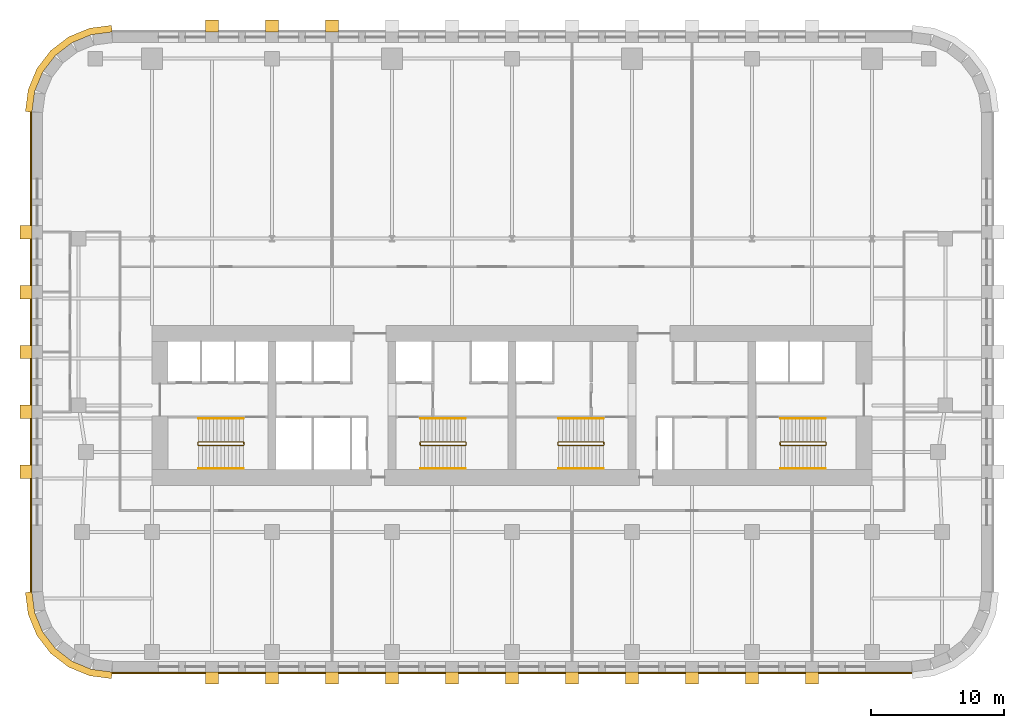
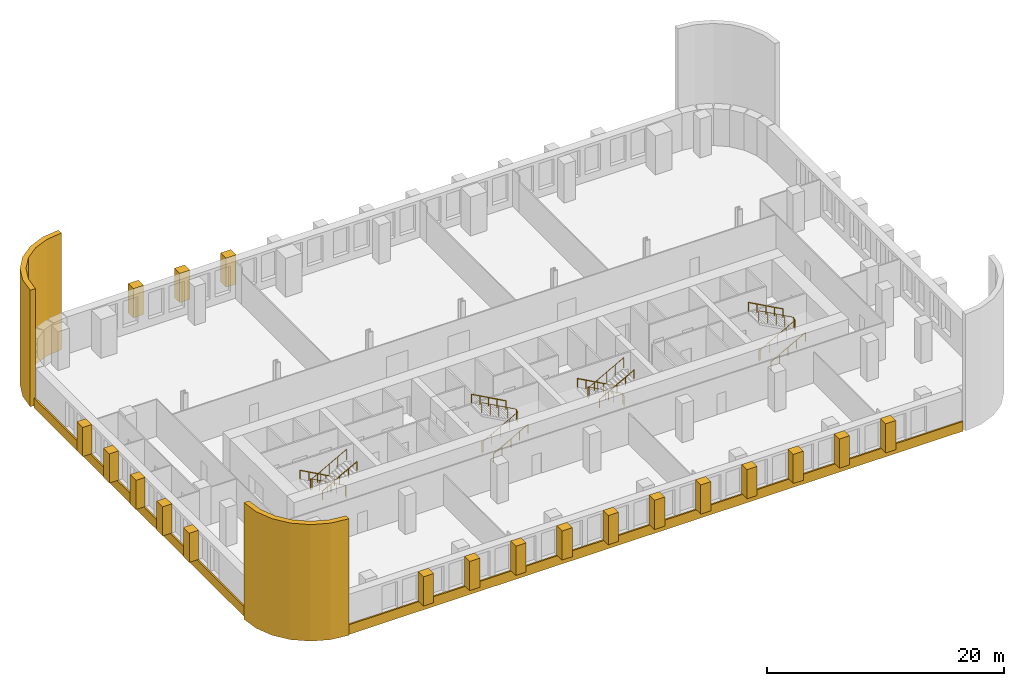
# One storey, part 10 of 11: 23 coverings, 12 railings.
"""IFC4 building model written with IfcOpenShell, lengths in metres."""

from ifc_helpers import new_model, si_unit, direction, frame, origin, origin_2d, place, context, subcontext, project, spatial, polyline, circle, outline, extrude, material, layer, layer_set, type_object, element, save


model = new_model("IFC4")

# Units and contexts
model_context = context("Model", 3, precision=1e-05, world=origin(), true_north=direction((0.0, 1.0)))
body_context = subcontext(model_context, "Body", "Model", "MODEL_VIEW")
ifc_project = project(units=[si_unit("LENGTHUNIT", "METRE"), si_unit("AREAUNIT", "SQUARE_METRE"), si_unit("VOLUMEUNIT", "CUBIC_METRE"), si_unit("PLANEANGLEUNIT", "RADIAN"), si_unit("MASSUNIT", "GRAM", prefix="KILO")], contexts=[model_context])

# Site, building, storey
site_placement = place(None, origin())
site = spatial("IfcSite", under=ifc_project, at=site_placement, CompositionType="ELEMENT")
building_placement = place(site_placement, origin())
building = spatial("IfcBuilding", under=site, at=building_placement, Name="Zellij Exchange Tower", CompositionType="ELEMENT")
storey_placement = place(building_placement, frame((0.0, 0.0, 64.5)))
storey = spatial("IfcBuildingStorey", under=building, at=storey_placement, Name="L12", CompositionType="ELEMENT", Elevation=64.5)

# Railings
ifc_material_1 = material(Name="Stainless steel", Category="steel")
railing_type_1 = type_object("IfcRailingType", Name="CORE-RG stair guard", PredefinedType="GUARDRAIL", material=ifc_material_1)
railing_1_placement = place(storey_placement, frame((-20.10009765625, -10.800048828125, 0.0)))
element("IfcRailing", 1, at=railing_1_placement, inside=storey, type_object=railing_type_1, Name="ST1 stair guard L12", PredefinedType="GUARDRAIL", context=body_context, shape_type="SweptSolid", body=[
    extrude(circle(Radius=0.02392578125, at=origin_2d()), frame((0.0, 0.0, 1.076171875), z_axis=(0.0, -1.0, 0.0), x_axis=(1.0, 0.0, 0.0)), (0.0, 0.0, 1.0), 0.14990234375),
    extrude(circle(Radius=0.02392578125, at=origin_2d()), frame((0.0, -0.14990234375, 1.076171875), z_axis=(-0.193691321961, 0.777613689637, 0.598164376644), x_axis=(-0.970351222016, -0.241699205484, 0.0)), (0.0, 0.0, 1.0), 0.257080078125),
    extrude(circle(Radius=0.02392578125, at=origin_2d()), frame((-0.0498046875, 0.050048828125, 1.22998046875), z_axis=(-0.876421534553, 0.0, 0.481544695509), x_axis=(0.0, -1.0, 0.0)), (0.0, 0.0, 1.0), 3.833984375),
    extrude(circle(Radius=0.02392578125, at=origin_2d()), frame((-3.409912109375, 0.050048828125, 3.076171875), z_axis=(-0.707106781187, -0.707106781187, 0.0), x_axis=(0.707106781187, -0.707106781187, 0.0)), (0.0, 0.0, 1.0), 0.07080078125),
    extrude(circle(Radius=0.02392578125, at=origin_2d()), frame((-3.4599609375, 0.0, 3.076171875), z_axis=(0.0, -1.0, 0.0), x_axis=(1.0, 0.0, 0.0)), (0.0, 0.0, 1.0), 0.14990234375),
    extrude(circle(Radius=0.02392578125, at=origin_2d()), frame((-3.4599609375, -0.14990234375, 3.076171875), z_axis=(0.295599637079, -0.295599637079, 0.908428152975), x_axis=(0.707106781187, 0.707106781187, 0.0)), (0.0, 0.0, 1.0), 0.16943359375),
    extrude(circle(Radius=0.02392578125, at=origin_2d()), frame((-3.409912109375, -0.199951171875, 3.22998046875), z_axis=(0.876421534553, 0.0, 0.481544695509), x_axis=(0.0, 1.0, 0.0)), (0.0, 0.0, 1.0), 3.833984375),
    extrude(circle(Radius=0.02099609375, at=origin_2d()), origin(), (0.0, 0.0, 1.0), 1.052001953125),
    extrude(circle(Radius=0.02099609375, at=origin_2d()), frame((0.0, -0.14990234375, 0.0)), (0.0, 0.0, 1.0), 1.052001953125),
    extrude(circle(Radius=0.02099609375, at=origin_2d()), frame((-0.0498046875, 0.050048828125, 0.15380859375)), (0.0, 0.0, 1.0), 1.052001953125),
    extrude(circle(Radius=0.02099609375, at=origin_2d()), frame((-0.889892578125, 0.050048828125, 0.615234375)), (0.0, 0.0, 1.0), 1.052001953125),
    extrude(circle(Radius=0.02099609375, at=origin_2d()), frame((-1.72998046875, 0.050048828125, 1.076904296875)), (0.0, 0.0, 1.0), 1.052001953125),
    extrude(circle(Radius=0.02099609375, at=origin_2d()), frame((-2.56982421875, 0.050048828125, 1.53857421875)), (0.0, 0.0, 1.0), 1.052001953125),
    extrude(circle(Radius=0.02099609375, at=origin_2d()), frame((-3.409912109375, 0.050048828125, 2.0)), (0.0, 0.0, 1.0), 1.052001953125),
    extrude(circle(Radius=0.02099609375, at=origin_2d()), frame((-3.4599609375, 0.0, 2.0)), (0.0, 0.0, 1.0), 1.052001953125),
    extrude(circle(Radius=0.02099609375, at=origin_2d()), frame((-3.4599609375, -0.14990234375, 2.0)), (0.0, 0.0, 1.0), 1.052001953125),
    extrude(circle(Radius=0.02099609375, at=origin_2d()), frame((-3.409912109375, -0.199951171875, 2.15380859375)), (0.0, 0.0, 1.0), 1.052001953125),
    extrude(circle(Radius=0.02099609375, at=origin_2d()), frame((-2.56982421875, -0.199951171875, 2.615234375)), (0.0, 0.0, 1.0), 1.052001953125),
    extrude(circle(Radius=0.02099609375, at=origin_2d()), frame((-1.72998046875, -0.199951171875, 3.076904296875)), (0.0, 0.0, 1.0), 1.052001953125),
    extrude(circle(Radius=0.02099609375, at=origin_2d()), frame((-0.889892578125, -0.199951171875, 3.53857421875)), (0.0, 0.0, 1.0), 1.052001953125),
    extrude(circle(Radius=0.02099609375, at=origin_2d()), frame((-0.0498046875, -0.199951171875, 4.0)), (0.0, 0.0, 1.0), 1.052001953125),
])
railing_2_placement = place(storey_placement, frame((-6.89990234375, -10.949951171875, 0.0)))
element("IfcRailing", 2, at=railing_2_placement, inside=storey, type_object=railing_type_1, Name="ST2 stair guard L12", PredefinedType="GUARDRAIL", context=body_context, shape_type="SweptSolid", body=[
    extrude(circle(Radius=0.02392578125, at=origin_2d()), frame((0.0, 0.0, 1.076171875), z_axis=(0.0, 1.0, 0.0), x_axis=(-1.0, 0.0, 0.0)), (0.0, 0.0, 1.0), 0.14990234375),
    extrude(circle(Radius=0.02392578125, at=origin_2d()), frame((0.0, 0.14990234375, 1.076171875), z_axis=(0.193691321961, -0.777613689637, 0.598164376644), x_axis=(0.970351222016, 0.241699205484, 0.0)), (0.0, 0.0, 1.0), 0.257080078125),
    extrude(circle(Radius=0.02392578125, at=origin_2d()), frame((0.0498046875, -0.050048828125, 1.22998046875), z_axis=(0.876421534553, 0.0, 0.481544695509), x_axis=(0.0, 1.0, 0.0)), (0.0, 0.0, 1.0), 3.833984375),
    extrude(circle(Radius=0.02392578125, at=origin_2d()), frame((3.409912109375, -0.050048828125, 3.076171875), z_axis=(0.707106781187, 0.707106781187, 0.0), x_axis=(-0.707106781187, 0.707106781187, 0.0)), (0.0, 0.0, 1.0), 0.07080078125),
    extrude(circle(Radius=0.02392578125, at=origin_2d()), frame((3.4599609375, 0.0, 3.076171875), z_axis=(0.0, 1.0, 0.0), x_axis=(-1.0, 0.0, 0.0)), (0.0, 0.0, 1.0), 0.14990234375),
    extrude(circle(Radius=0.02392578125, at=origin_2d()), frame((3.4599609375, 0.14990234375, 3.076171875), z_axis=(-0.295599637079, 0.295599637079, 0.908428152975), x_axis=(-0.707106781187, -0.707106781187, 0.0)), (0.0, 0.0, 1.0), 0.16943359375),
    extrude(circle(Radius=0.02392578125, at=origin_2d()), frame((3.409912109375, 0.199951171875, 3.22998046875), z_axis=(-0.876421534553, 0.0, 0.481544695509), x_axis=(0.0, -1.0, 0.0)), (0.0, 0.0, 1.0), 3.833984375),
    extrude(circle(Radius=0.02099609375, at=origin_2d()), origin(), (0.0, 0.0, 1.0), 1.052001953125),
    extrude(circle(Radius=0.02099609375, at=origin_2d()), frame((0.0, 0.14990234375, 0.0)), (0.0, 0.0, 1.0), 1.052001953125),
    extrude(circle(Radius=0.02099609375, at=origin_2d()), frame((0.0498046875, -0.050048828125, 0.15380859375)), (0.0, 0.0, 1.0), 1.052001953125),
    extrude(circle(Radius=0.02099609375, at=origin_2d()), frame((0.889892578125, -0.050048828125, 0.615234375)), (0.0, 0.0, 1.0), 1.052001953125),
    extrude(circle(Radius=0.02099609375, at=origin_2d()), frame((1.72998046875, -0.050048828125, 1.076904296875)), (0.0, 0.0, 1.0), 1.052001953125),
    extrude(circle(Radius=0.02099609375, at=origin_2d()), frame((2.56982421875, -0.050048828125, 1.53857421875)), (0.0, 0.0, 1.0), 1.052001953125),
    extrude(circle(Radius=0.02099609375, at=origin_2d()), frame((3.409912109375, -0.050048828125, 2.0)), (0.0, 0.0, 1.0), 1.052001953125),
    extrude(circle(Radius=0.02099609375, at=origin_2d()), frame((3.4599609375, 0.0, 2.0)), (0.0, 0.0, 1.0), 1.052001953125),
    extrude(circle(Radius=0.02099609375, at=origin_2d()), frame((3.4599609375, 0.14990234375, 2.0)), (0.0, 0.0, 1.0), 1.052001953125),
    extrude(circle(Radius=0.02099609375, at=origin_2d()), frame((3.409912109375, 0.199951171875, 2.15380859375)), (0.0, 0.0, 1.0), 1.052001953125),
    extrude(circle(Radius=0.02099609375, at=origin_2d()), frame((2.56982421875, 0.199951171875, 2.615234375)), (0.0, 0.0, 1.0), 1.052001953125),
    extrude(circle(Radius=0.02099609375, at=origin_2d()), frame((1.72998046875, 0.199951171875, 3.076904296875)), (0.0, 0.0, 1.0), 1.052001953125),
    extrude(circle(Radius=0.02099609375, at=origin_2d()), frame((0.889892578125, 0.199951171875, 3.53857421875)), (0.0, 0.0, 1.0), 1.052001953125),
    extrude(circle(Radius=0.02099609375, at=origin_2d()), frame((0.0498046875, 0.199951171875, 4.0)), (0.0, 0.0, 1.0), 1.052001953125),
])
railing_3_placement = place(storey_placement, frame((6.89990234375, -10.800048828125, 0.0)))
element("IfcRailing", 3, at=railing_3_placement, inside=storey, type_object=railing_type_1, Name="ST3 stair guard L12", PredefinedType="GUARDRAIL", context=body_context, shape_type="SweptSolid", body=[
    extrude(circle(Radius=0.02392578125, at=origin_2d()), frame((0.0, 0.0, 1.076171875), z_axis=(0.0, -1.0, 0.0), x_axis=(1.0, 0.0, 0.0)), (0.0, 0.0, 1.0), 0.14990234375),
    extrude(circle(Radius=0.02392578125, at=origin_2d()), frame((0.0, -0.14990234375, 1.076171875), z_axis=(-0.193691321961, 0.777613689637, 0.598164376644), x_axis=(-0.970351222016, -0.241699205484, 0.0)), (0.0, 0.0, 1.0), 0.257080078125),
    extrude(circle(Radius=0.02392578125, at=origin_2d()), frame((-0.0498046875, 0.050048828125, 1.22998046875), z_axis=(-0.876421534553, 0.0, 0.481544695509), x_axis=(0.0, -1.0, 0.0)), (0.0, 0.0, 1.0), 3.833984375),
    extrude(circle(Radius=0.02392578125, at=origin_2d()), frame((-3.409912109375, 0.050048828125, 3.076171875), z_axis=(-0.707106781187, -0.707106781187, 0.0), x_axis=(0.707106781187, -0.707106781187, 0.0)), (0.0, 0.0, 1.0), 0.07080078125),
    extrude(circle(Radius=0.02392578125, at=origin_2d()), frame((-3.4599609375, 0.0, 3.076171875), z_axis=(0.0, -1.0, 0.0), x_axis=(1.0, 0.0, 0.0)), (0.0, 0.0, 1.0), 0.14990234375),
    extrude(circle(Radius=0.02392578125, at=origin_2d()), frame((-3.4599609375, -0.14990234375, 3.076171875), z_axis=(0.295599637079, -0.295599637079, 0.908428152975), x_axis=(0.707106781187, 0.707106781187, 0.0)), (0.0, 0.0, 1.0), 0.16943359375),
    extrude(circle(Radius=0.02392578125, at=origin_2d()), frame((-3.409912109375, -0.199951171875, 3.22998046875), z_axis=(0.876421534553, 0.0, 0.481544695509), x_axis=(0.0, 1.0, 0.0)), (0.0, 0.0, 1.0), 3.833984375),
    extrude(circle(Radius=0.02099609375, at=origin_2d()), origin(), (0.0, 0.0, 1.0), 1.052001953125),
    extrude(circle(Radius=0.02099609375, at=origin_2d()), frame((0.0, -0.14990234375, 0.0)), (0.0, 0.0, 1.0), 1.052001953125),
    extrude(circle(Radius=0.02099609375, at=origin_2d()), frame((-0.0498046875, 0.050048828125, 0.15380859375)), (0.0, 0.0, 1.0), 1.052001953125),
    extrude(circle(Radius=0.02099609375, at=origin_2d()), frame((-0.889892578125, 0.050048828125, 0.615234375)), (0.0, 0.0, 1.0), 1.052001953125),
    extrude(circle(Radius=0.02099609375, at=origin_2d()), frame((-1.72998046875, 0.050048828125, 1.076904296875)), (0.0, 0.0, 1.0), 1.052001953125),
    extrude(circle(Radius=0.02099609375, at=origin_2d()), frame((-2.56982421875, 0.050048828125, 1.53857421875)), (0.0, 0.0, 1.0), 1.052001953125),
    extrude(circle(Radius=0.02099609375, at=origin_2d()), frame((-3.409912109375, 0.050048828125, 2.0)), (0.0, 0.0, 1.0), 1.052001953125),
    extrude(circle(Radius=0.02099609375, at=origin_2d()), frame((-3.4599609375, 0.0, 2.0)), (0.0, 0.0, 1.0), 1.052001953125),
    extrude(circle(Radius=0.02099609375, at=origin_2d()), frame((-3.4599609375, -0.14990234375, 2.0)), (0.0, 0.0, 1.0), 1.052001953125),
    extrude(circle(Radius=0.02099609375, at=origin_2d()), frame((-3.409912109375, -0.199951171875, 2.15380859375)), (0.0, 0.0, 1.0), 1.052001953125),
    extrude(circle(Radius=0.02099609375, at=origin_2d()), frame((-2.56982421875, -0.199951171875, 2.615234375)), (0.0, 0.0, 1.0), 1.052001953125),
    extrude(circle(Radius=0.02099609375, at=origin_2d()), frame((-1.72998046875, -0.199951171875, 3.076904296875)), (0.0, 0.0, 1.0), 1.052001953125),
    extrude(circle(Radius=0.02099609375, at=origin_2d()), frame((-0.889892578125, -0.199951171875, 3.53857421875)), (0.0, 0.0, 1.0), 1.052001953125),
    extrude(circle(Radius=0.02099609375, at=origin_2d()), frame((-0.0498046875, -0.199951171875, 4.0)), (0.0, 0.0, 1.0), 1.052001953125),
])
railing_4_placement = place(storey_placement, frame((20.10009765625, -10.949951171875, 0.0)))
element("IfcRailing", 4, at=railing_4_placement, inside=storey, type_object=railing_type_1, Name="ST4 stair guard L12", PredefinedType="GUARDRAIL", context=body_context, shape_type="SweptSolid", body=[
    extrude(circle(Radius=0.02392578125, at=origin_2d()), frame((0.0, 0.0, 1.076171875), z_axis=(0.0, 1.0, 0.0), x_axis=(-1.0, 0.0, 0.0)), (0.0, 0.0, 1.0), 0.14990234375),
    extrude(circle(Radius=0.02392578125, at=origin_2d()), frame((0.0, 0.14990234375, 1.076171875), z_axis=(0.193691321961, -0.777613689637, 0.598164376644), x_axis=(0.970351222016, 0.241699205484, 0.0)), (0.0, 0.0, 1.0), 0.257080078125),
    extrude(circle(Radius=0.02392578125, at=origin_2d()), frame((0.0498046875, -0.050048828125, 1.22998046875), z_axis=(0.876421534553, 0.0, 0.481544695509), x_axis=(0.0, 1.0, 0.0)), (0.0, 0.0, 1.0), 3.833984375),
    extrude(circle(Radius=0.02392578125, at=origin_2d()), frame((3.409912109375, -0.050048828125, 3.076171875), z_axis=(0.707106781187, 0.707106781187, 0.0), x_axis=(-0.707106781187, 0.707106781187, 0.0)), (0.0, 0.0, 1.0), 0.07080078125),
    extrude(circle(Radius=0.02392578125, at=origin_2d()), frame((3.4599609375, 0.0, 3.076171875), z_axis=(0.0, 1.0, 0.0), x_axis=(-1.0, 0.0, 0.0)), (0.0, 0.0, 1.0), 0.14990234375),
    extrude(circle(Radius=0.02392578125, at=origin_2d()), frame((3.4599609375, 0.14990234375, 3.076171875), z_axis=(-0.295599637079, 0.295599637079, 0.908428152975), x_axis=(-0.707106781187, -0.707106781187, 0.0)), (0.0, 0.0, 1.0), 0.16943359375),
    extrude(circle(Radius=0.02392578125, at=origin_2d()), frame((3.409912109375, 0.199951171875, 3.22998046875), z_axis=(-0.876421534553, 0.0, 0.481544695509), x_axis=(0.0, -1.0, 0.0)), (0.0, 0.0, 1.0), 3.833984375),
    extrude(circle(Radius=0.02099609375, at=origin_2d()), origin(), (0.0, 0.0, 1.0), 1.052001953125),
    extrude(circle(Radius=0.02099609375, at=origin_2d()), frame((0.0, 0.14990234375, 0.0)), (0.0, 0.0, 1.0), 1.052001953125),
    extrude(circle(Radius=0.02099609375, at=origin_2d()), frame((0.0498046875, -0.050048828125, 0.15380859375)), (0.0, 0.0, 1.0), 1.052001953125),
    extrude(circle(Radius=0.02099609375, at=origin_2d()), frame((0.889892578125, -0.050048828125, 0.615234375)), (0.0, 0.0, 1.0), 1.052001953125),
    extrude(circle(Radius=0.02099609375, at=origin_2d()), frame((1.72998046875, -0.050048828125, 1.076904296875)), (0.0, 0.0, 1.0), 1.052001953125),
    extrude(circle(Radius=0.02099609375, at=origin_2d()), frame((2.56982421875, -0.050048828125, 1.53857421875)), (0.0, 0.0, 1.0), 1.052001953125),
    extrude(circle(Radius=0.02099609375, at=origin_2d()), frame((3.409912109375, -0.050048828125, 2.0)), (0.0, 0.0, 1.0), 1.052001953125),
    extrude(circle(Radius=0.02099609375, at=origin_2d()), frame((3.4599609375, 0.0, 2.0)), (0.0, 0.0, 1.0), 1.052001953125),
    extrude(circle(Radius=0.02099609375, at=origin_2d()), frame((3.4599609375, 0.14990234375, 2.0)), (0.0, 0.0, 1.0), 1.052001953125),
    extrude(circle(Radius=0.02099609375, at=origin_2d()), frame((3.409912109375, 0.199951171875, 2.15380859375)), (0.0, 0.0, 1.0), 1.052001953125),
    extrude(circle(Radius=0.02099609375, at=origin_2d()), frame((2.56982421875, 0.199951171875, 2.615234375)), (0.0, 0.0, 1.0), 1.052001953125),
    extrude(circle(Radius=0.02099609375, at=origin_2d()), frame((1.72998046875, 0.199951171875, 3.076904296875)), (0.0, 0.0, 1.0), 1.052001953125),
    extrude(circle(Radius=0.02099609375, at=origin_2d()), frame((0.889892578125, 0.199951171875, 3.53857421875)), (0.0, 0.0, 1.0), 1.052001953125),
    extrude(circle(Radius=0.02099609375, at=origin_2d()), frame((0.0498046875, 0.199951171875, 4.0)), (0.0, 0.0, 1.0), 1.052001953125),
])
railing_type_2 = type_object("IfcRailingType", Name="CORE-RH stair handrail", PredefinedType="HANDRAIL", material=ifc_material_1)
railing_5_placement = place(storey_placement, frame((-20.14990234375, -9.0, 0.15380859375)))
element("IfcRailing", 5, at=railing_5_placement, inside=storey, type_object=railing_type_2, Name="ST1 stair handrail L12", PredefinedType="HANDRAIL", context=body_context, shape_type="SweptSolid", body=[
    extrude(circle(Radius=0.02392578125, at=origin_2d()), frame((0.0, 0.0, 0.8759765625), z_axis=(-0.876421534553, 0.0, 0.481544695509), x_axis=(0.0, -1.0, 0.0)), (0.0, 0.0, 1.0), 3.833984375),
    extrude(circle(Radius=0.02099609375, at=origin_2d()), origin(), (0.0, 0.0, 1.0), 0.851806640625),
    extrude(circle(Radius=0.02099609375, at=origin_2d()), frame((-0.840087890625, 0.0, 0.46142578125)), (0.0, 0.0, 1.0), 0.851806640625),
    extrude(circle(Radius=0.02099609375, at=origin_2d()), frame((-1.68017578125, 0.0, 0.923095703125)), (0.0, 0.0, 1.0), 0.851806640625),
    extrude(circle(Radius=0.02099609375, at=origin_2d()), frame((-2.52001953125, 0.0, 1.384765625)), (0.0, 0.0, 1.0), 0.851806640625),
    extrude(circle(Radius=0.02099609375, at=origin_2d()), frame((-3.360107421875, 0.0, 1.84619140625)), (0.0, 0.0, 1.0), 0.851806640625),
])
for number, where, name in (
    (6, (-23.510009765625, -12.75, 2.15380859375), "ST1 stair handrail L12"),
    (7, (-6.85009765625, -12.75, 0.15380859375), "ST2 stair handrail L12"),
):
    element("IfcRailing", number, at=place(storey_placement, frame(where)), inside=storey, type_object=railing_type_2, Name=name, PredefinedType="HANDRAIL", context=body_context, shape_type="SweptSolid", body=[
        extrude(circle(Radius=0.02392578125, at=origin_2d()), frame((0.0, 0.0, 0.8759765625), z_axis=(0.876421534553, 0.0, 0.481544695509), x_axis=(0.0, 1.0, 0.0)), (0.0, 0.0, 1.0), 3.833984375),
        extrude(circle(Radius=0.02099609375, at=origin_2d()), origin(), (0.0, 0.0, 1.0), 0.851806640625),
        extrude(circle(Radius=0.02099609375, at=origin_2d()), frame((0.840087890625, 0.0, 0.46142578125)), (0.0, 0.0, 1.0), 0.851806640625),
        extrude(circle(Radius=0.02099609375, at=origin_2d()), frame((1.68017578125, 0.0, 0.923095703125)), (0.0, 0.0, 1.0), 0.851806640625),
        extrude(circle(Radius=0.02099609375, at=origin_2d()), frame((2.52001953125, 0.0, 1.384765625)), (0.0, 0.0, 1.0), 0.851806640625),
        extrude(circle(Radius=0.02099609375, at=origin_2d()), frame((3.360107421875, 0.0, 1.84619140625)), (0.0, 0.0, 1.0), 0.851806640625),
    ])
for number, where, name in (
    (8, (-3.489990234375, -9.0, 2.15380859375), "ST2 stair handrail L12"),
    (9, (6.85009765625, -9.0, 0.15380859375), "ST3 stair handrail L12"),
):
    element("IfcRailing", number, at=place(storey_placement, frame(where)), inside=storey, type_object=railing_type_2, Name=name, PredefinedType="HANDRAIL", context=body_context, shape_type="SweptSolid", body=[
        extrude(circle(Radius=0.02392578125, at=origin_2d()), frame((0.0, 0.0, 0.8759765625), z_axis=(-0.876421534553, 0.0, 0.481544695509), x_axis=(0.0, -1.0, 0.0)), (0.0, 0.0, 1.0), 3.833984375),
        extrude(circle(Radius=0.02099609375, at=origin_2d()), origin(), (0.0, 0.0, 1.0), 0.851806640625),
        extrude(circle(Radius=0.02099609375, at=origin_2d()), frame((-0.840087890625, 0.0, 0.46142578125)), (0.0, 0.0, 1.0), 0.851806640625),
        extrude(circle(Radius=0.02099609375, at=origin_2d()), frame((-1.68017578125, 0.0, 0.923095703125)), (0.0, 0.0, 1.0), 0.851806640625),
        extrude(circle(Radius=0.02099609375, at=origin_2d()), frame((-2.52001953125, 0.0, 1.384765625)), (0.0, 0.0, 1.0), 0.851806640625),
        extrude(circle(Radius=0.02099609375, at=origin_2d()), frame((-3.360107421875, 0.0, 1.84619140625)), (0.0, 0.0, 1.0), 0.851806640625),
    ])
for number, where, name in (
    (10, (3.489990234375, -12.75, 2.15380859375), "ST3 stair handrail L12"),
    (11, (20.14990234375, -12.75, 0.15380859375), "ST4 stair handrail L12"),
):
    element("IfcRailing", number, at=place(storey_placement, frame(where)), inside=storey, type_object=railing_type_2, Name=name, PredefinedType="HANDRAIL", context=body_context, shape_type="SweptSolid", body=[
        extrude(circle(Radius=0.02392578125, at=origin_2d()), frame((0.0, 0.0, 0.8759765625), z_axis=(0.876421534553, 0.0, 0.481544695509), x_axis=(0.0, 1.0, 0.0)), (0.0, 0.0, 1.0), 3.833984375),
        extrude(circle(Radius=0.02099609375, at=origin_2d()), origin(), (0.0, 0.0, 1.0), 0.851806640625),
        extrude(circle(Radius=0.02099609375, at=origin_2d()), frame((0.840087890625, 0.0, 0.46142578125)), (0.0, 0.0, 1.0), 0.851806640625),
        extrude(circle(Radius=0.02099609375, at=origin_2d()), frame((1.68017578125, 0.0, 0.923095703125)), (0.0, 0.0, 1.0), 0.851806640625),
        extrude(circle(Radius=0.02099609375, at=origin_2d()), frame((2.52001953125, 0.0, 1.384765625)), (0.0, 0.0, 1.0), 0.851806640625),
        extrude(circle(Radius=0.02099609375, at=origin_2d()), frame((3.360107421875, 0.0, 1.84619140625)), (0.0, 0.0, 1.0), 0.851806640625),
    ])
railing_6_placement = place(storey_placement, frame((23.510009765625, -9.0, 2.15380859375)))
element("IfcRailing", 12, at=railing_6_placement, inside=storey, type_object=railing_type_2, Name="ST4 stair handrail L12", PredefinedType="HANDRAIL", context=body_context, shape_type="SweptSolid", body=[
    extrude(circle(Radius=0.02392578125, at=origin_2d()), frame((0.0, 0.0, 0.8759765625), z_axis=(-0.876421534553, 0.0, 0.481544695509), x_axis=(0.0, -1.0, 0.0)), (0.0, 0.0, 1.0), 3.833984375),
    extrude(circle(Radius=0.02099609375, at=origin_2d()), origin(), (0.0, 0.0, 1.0), 0.851806640625),
    extrude(circle(Radius=0.02099609375, at=origin_2d()), frame((-0.840087890625, 0.0, 0.46142578125)), (0.0, 0.0, 1.0), 0.851806640625),
    extrude(circle(Radius=0.02099609375, at=origin_2d()), frame((-1.68017578125, 0.0, 0.923095703125)), (0.0, 0.0, 1.0), 0.851806640625),
    extrude(circle(Radius=0.02099609375, at=origin_2d()), frame((-2.52001953125, 0.0, 1.384765625)), (0.0, 0.0, 1.0), 0.851806640625),
    extrude(circle(Radius=0.02099609375, at=origin_2d()), frame((-3.360107421875, 0.0, 1.84619140625)), (0.0, 0.0, 1.0), 0.851806640625),
])

# Coverings
ifc_material_2 = material(Name="Limestone cladding", Category="masonry")
ifc_layer_1 = layer(ifc_material_2, 0.14990234375)
ifc_layer_set_1 = layer_set([ifc_layer_1], Name="Limestone cladding")
covering_type_1 = type_object("IfcCoveringType", Name="ENV-CV1 Stone spandrel band 150", PredefinedType="CLADDING", material=ifc_layer_set_1)
covering_1_placement = place(storey_placement, frame((0.0, 0.0, -0.199951171875)))
element("IfcCovering", 13, at=covering_1_placement, inside=storey, type_object=covering_type_1, Name="Stone spandrel band", PredefinedType="CLADDING", context=body_context, shape_type="SweptSolid", body=[
    extrude(outline(polyline([(-29.973876953125, -28.0), (29.973876953125, -28.0), (29.983642578125, -28.14990234375), (-29.983642578125, -28.14990234375), (-29.973876953125, -28.0)])), origin(), (0.0, 0.0, 1.0), 1.0),
])
covering_2_placement = place(storey_placement, frame((0.0, 0.0, -0.199951171875)))
element("IfcCovering", 14, at=covering_2_placement, inside=storey, type_object=covering_type_1, Name="Stone spandrel band", PredefinedType="CLADDING", context=body_context, shape_type="SweptSolid", body=[
    extrude(outline(polyline([(-36.0, 13.973876953125), (-36.0, -21.973876953125), (-36.14990234375, -21.983642578125), (-36.14990234375, 13.983642578125), (-36.0, 13.973876953125)])), origin(), (0.0, 0.0, 1.0), 1.0),
])
ifc_layer_2 = layer(ifc_material_2, 0.5)
ifc_layer_set_2 = layer_set([ifc_layer_2], Name="Limestone cladding")
covering_type_2 = type_object("IfcCoveringType", Name="ENV-CV12 Stone corner pier 500", PredefinedType="CLADDING", material=ifc_layer_set_2)
covering_3_placement = place(storey_placement, origin())
element("IfcCovering", 15, at=covering_3_placement, inside=storey, type_object=covering_type_2, Name="Stone corner pier", PredefinedType="CLADDING", context=body_context, shape_type="SweptSolid", body=[
    extrude(outline(polyline([(-30.0, 20.0), (-31.552978515625, 19.795654296875), (-33.0, 19.1962890625), (-34.24267578125, 18.24267578125), (-35.1962890625, 17.0), (-35.795654296875, 15.552978515625), (-36.0, 14.0), (-36.5, 14.03271484375), (-36.28271484375, 15.683349609375), (-35.6328125, 17.252197265625), (-34.59912109375, 18.59912109375), (-33.252197265625, 19.6328125), (-31.683349609375, 20.28271484375), (-30.03271484375, 20.5), (-30.0, 20.0)])), origin(), (0.0, 0.0, 1.0), 12.0),
])
covering_4_placement = place(storey_placement, origin())
element("IfcCovering", 16, at=covering_4_placement, inside=storey, type_object=covering_type_2, Name="Stone corner pier", PredefinedType="CLADDING", context=body_context, shape_type="SweptSolid", body=[
    extrude(outline(polyline([(-36.0, -22.0), (-35.795654296875, -23.552978515625), (-35.1962890625, -25.0), (-34.24267578125, -26.24267578125), (-33.0, -27.1962890625), (-31.552978515625, -27.795654296875), (-30.0, -28.0), (-30.03271484375, -28.5), (-31.683349609375, -28.28271484375), (-33.252197265625, -27.6328125), (-34.59912109375, -26.59912109375), (-35.6328125, -25.252197265625), (-36.28271484375, -23.683349609375), (-36.5, -22.03271484375), (-36.0, -22.0)])), origin(), (0.0, 0.0, 1.0), 12.0),
])
covering_type_3 = type_object("IfcCoveringType", Name="ENV-CV2 Stone pier 1000x900", PredefinedType="CLADDING", material=ifc_material_2)
covering_5_placement = place(storey_placement, frame((0.0, 0.0, 0.800048828125)))
element("IfcCovering", 17, at=covering_5_placement, inside=storey, type_object=covering_type_3, Name="Stone pier", PredefinedType="CLADDING", context=body_context, shape_type="SweptSolid", body=[
    extrude(outline(polyline([(-23.0, -28.0), (-22.0, -28.0), (-22.0, -28.89990234375), (-23.0, -28.89990234375), (-23.0, -28.0)])), origin(), (0.0, 0.0, 1.0), 3.0),
])
covering_6_placement = place(storey_placement, frame((0.0, 0.0, 0.800048828125)))
element("IfcCovering", 18, at=covering_6_placement, inside=storey, type_object=covering_type_3, Name="Stone pier", PredefinedType="CLADDING", context=body_context, shape_type="SweptSolid", body=[
    extrude(outline(polyline([(-18.5, -28.0), (-17.5, -28.0), (-17.5, -28.89990234375), (-18.5, -28.89990234375), (-18.5, -28.0)])), origin(), (0.0, 0.0, 1.0), 3.0),
])
covering_7_placement = place(storey_placement, frame((0.0, 0.0, 0.800048828125)))
element("IfcCovering", 19, at=covering_7_placement, inside=storey, type_object=covering_type_3, Name="Stone pier", PredefinedType="CLADDING", context=body_context, shape_type="SweptSolid", body=[
    extrude(outline(polyline([(-14.0, -28.0), (-13.0, -28.0), (-13.0, -28.89990234375), (-14.0, -28.89990234375), (-14.0, -28.0)])), origin(), (0.0, 0.0, 1.0), 3.0),
])
covering_8_placement = place(storey_placement, frame((0.0, 0.0, 0.800048828125)))
element("IfcCovering", 20, at=covering_8_placement, inside=storey, type_object=covering_type_3, Name="Stone pier", PredefinedType="CLADDING", context=body_context, shape_type="SweptSolid", body=[
    extrude(outline(polyline([(-9.5, -28.0), (-8.5, -28.0), (-8.5, -28.89990234375), (-9.5, -28.89990234375), (-9.5, -28.0)])), origin(), (0.0, 0.0, 1.0), 3.0),
])
covering_9_placement = place(storey_placement, frame((0.0, 0.0, 0.800048828125)))
element("IfcCovering", 21, at=covering_9_placement, inside=storey, type_object=covering_type_3, Name="Stone pier", PredefinedType="CLADDING", context=body_context, shape_type="SweptSolid", body=[
    extrude(outline(polyline([(-5.0, -28.0), (-4.0, -28.0), (-4.0, -28.89990234375), (-5.0, -28.89990234375), (-5.0, -28.0)])), origin(), (0.0, 0.0, 1.0), 3.0),
])
covering_10_placement = place(storey_placement, frame((0.0, 0.0, 0.800048828125)))
element("IfcCovering", 22, at=covering_10_placement, inside=storey, type_object=covering_type_3, Name="Stone pier", PredefinedType="CLADDING", context=body_context, shape_type="SweptSolid", body=[
    extrude(outline(polyline([(-0.5, -28.0), (0.5, -28.0), (0.5, -28.89990234375), (-0.5, -28.89990234375), (-0.5, -28.0)])), origin(), (0.0, 0.0, 1.0), 3.0),
])
covering_11_placement = place(storey_placement, frame((0.0, 0.0, 0.800048828125)))
element("IfcCovering", 23, at=covering_11_placement, inside=storey, type_object=covering_type_3, Name="Stone pier", PredefinedType="CLADDING", context=body_context, shape_type="SweptSolid", body=[
    extrude(outline(polyline([(4.0, -28.0), (5.0, -28.0), (5.0, -28.89990234375), (4.0, -28.89990234375), (4.0, -28.0)])), origin(), (0.0, 0.0, 1.0), 3.0),
])
covering_12_placement = place(storey_placement, frame((0.0, 0.0, 0.800048828125)))
element("IfcCovering", 24, at=covering_12_placement, inside=storey, type_object=covering_type_3, Name="Stone pier", PredefinedType="CLADDING", context=body_context, shape_type="SweptSolid", body=[
    extrude(outline(polyline([(8.5, -28.0), (9.5, -28.0), (9.5, -28.89990234375), (8.5, -28.89990234375), (8.5, -28.0)])), origin(), (0.0, 0.0, 1.0), 3.0),
])
covering_13_placement = place(storey_placement, frame((0.0, 0.0, 0.800048828125)))
element("IfcCovering", 25, at=covering_13_placement, inside=storey, type_object=covering_type_3, Name="Stone pier", PredefinedType="CLADDING", context=body_context, shape_type="SweptSolid", body=[
    extrude(outline(polyline([(13.0, -28.0), (14.0, -28.0), (14.0, -28.89990234375), (13.0, -28.89990234375), (13.0, -28.0)])), origin(), (0.0, 0.0, 1.0), 3.0),
])
covering_14_placement = place(storey_placement, frame((0.0, 0.0, 0.800048828125)))
element("IfcCovering", 26, at=covering_14_placement, inside=storey, type_object=covering_type_3, Name="Stone pier", PredefinedType="CLADDING", context=body_context, shape_type="SweptSolid", body=[
    extrude(outline(polyline([(17.5, -28.0), (18.5, -28.0), (18.5, -28.89990234375), (17.5, -28.89990234375), (17.5, -28.0)])), origin(), (0.0, 0.0, 1.0), 3.0),
])
covering_15_placement = place(storey_placement, frame((0.0, 0.0, 0.800048828125)))
element("IfcCovering", 27, at=covering_15_placement, inside=storey, type_object=covering_type_3, Name="Stone pier", PredefinedType="CLADDING", context=body_context, shape_type="SweptSolid", body=[
    extrude(outline(polyline([(22.0, -28.0), (23.0, -28.0), (23.0, -28.89990234375), (22.0, -28.89990234375), (22.0, -28.0)])), origin(), (0.0, 0.0, 1.0), 3.0),
])
covering_16_placement = place(storey_placement, frame((0.0, 0.0, 0.800048828125)))
element("IfcCovering", 28, at=covering_16_placement, inside=storey, type_object=covering_type_3, Name="Stone pier", PredefinedType="CLADDING", context=body_context, shape_type="SweptSolid", body=[
    extrude(outline(polyline([(-13.0, 20.0), (-14.0, 20.0), (-14.0, 20.89990234375), (-13.0, 20.89990234375), (-13.0, 20.0)])), origin(), (0.0, 0.0, 1.0), 3.0),
])
covering_17_placement = place(storey_placement, frame((0.0, 0.0, 0.800048828125)))
element("IfcCovering", 29, at=covering_17_placement, inside=storey, type_object=covering_type_3, Name="Stone pier", PredefinedType="CLADDING", context=body_context, shape_type="SweptSolid", body=[
    extrude(outline(polyline([(-17.5, 20.0), (-18.5, 20.0), (-18.5, 20.89990234375), (-17.5, 20.89990234375), (-17.5, 20.0)])), origin(), (0.0, 0.0, 1.0), 3.0),
])
covering_18_placement = place(storey_placement, frame((0.0, 0.0, 0.800048828125)))
element("IfcCovering", 30, at=covering_18_placement, inside=storey, type_object=covering_type_3, Name="Stone pier", PredefinedType="CLADDING", context=body_context, shape_type="SweptSolid", body=[
    extrude(outline(polyline([(-22.0, 20.0), (-23.0, 20.0), (-23.0, 20.89990234375), (-22.0, 20.89990234375), (-22.0, 20.0)])), origin(), (0.0, 0.0, 1.0), 3.0),
])
covering_19_placement = place(storey_placement, frame((0.0, 0.0, 0.800048828125)))
element("IfcCovering", 31, at=covering_19_placement, inside=storey, type_object=covering_type_3, Name="Stone pier", PredefinedType="CLADDING", context=body_context, shape_type="SweptSolid", body=[
    extrude(outline(polyline([(-36.0, 5.48681640625), (-36.0, 4.48681640625), (-36.89990234375, 4.48681640625), (-36.89990234375, 5.48681640625), (-36.0, 5.48681640625)])), origin(), (0.0, 0.0, 1.0), 3.0),
])
covering_20_placement = place(storey_placement, frame((0.0, 0.0, 0.800048828125)))
element("IfcCovering", 32, at=covering_20_placement, inside=storey, type_object=covering_type_3, Name="Stone pier", PredefinedType="CLADDING", context=body_context, shape_type="SweptSolid", body=[
    extrude(outline(polyline([(-36.0, 0.993408203125), (-36.0, -0.006591796875), (-36.89990234375, -0.006591796875), (-36.89990234375, 0.993408203125), (-36.0, 0.993408203125)])), origin(), (0.0, 0.0, 1.0), 3.0),
])
covering_21_placement = place(storey_placement, frame((0.0, 0.0, 0.800048828125)))
element("IfcCovering", 33, at=covering_21_placement, inside=storey, type_object=covering_type_3, Name="Stone pier", PredefinedType="CLADDING", context=body_context, shape_type="SweptSolid", body=[
    extrude(outline(polyline([(-36.0, -3.5), (-36.0, -4.5), (-36.89990234375, -4.5), (-36.89990234375, -3.5), (-36.0, -3.5)])), origin(), (0.0, 0.0, 1.0), 3.0),
])
covering_22_placement = place(storey_placement, frame((0.0, 0.0, 0.800048828125)))
element("IfcCovering", 34, at=covering_22_placement, inside=storey, type_object=covering_type_3, Name="Stone pier", PredefinedType="CLADDING", context=body_context, shape_type="SweptSolid", body=[
    extrude(outline(polyline([(-36.0, -7.993408203125), (-36.0, -8.993408203125), (-36.89990234375, -8.993408203125), (-36.89990234375, -7.993408203125), (-36.0, -7.993408203125)])), origin(), (0.0, 0.0, 1.0), 3.0),
])
covering_23_placement = place(storey_placement, frame((0.0, 0.0, 0.800048828125)))
element("IfcCovering", 35, at=covering_23_placement, inside=storey, type_object=covering_type_3, Name="Stone pier", PredefinedType="CLADDING", context=body_context, shape_type="SweptSolid", body=[
    extrude(outline(polyline([(-36.0, -12.48681640625), (-36.0, -13.48681640625), (-36.89990234375, -13.48681640625), (-36.89990234375, -12.48681640625), (-36.0, -12.48681640625)])), origin(), (0.0, 0.0, 1.0), 3.0),
])

save(model, "model.ifc")
